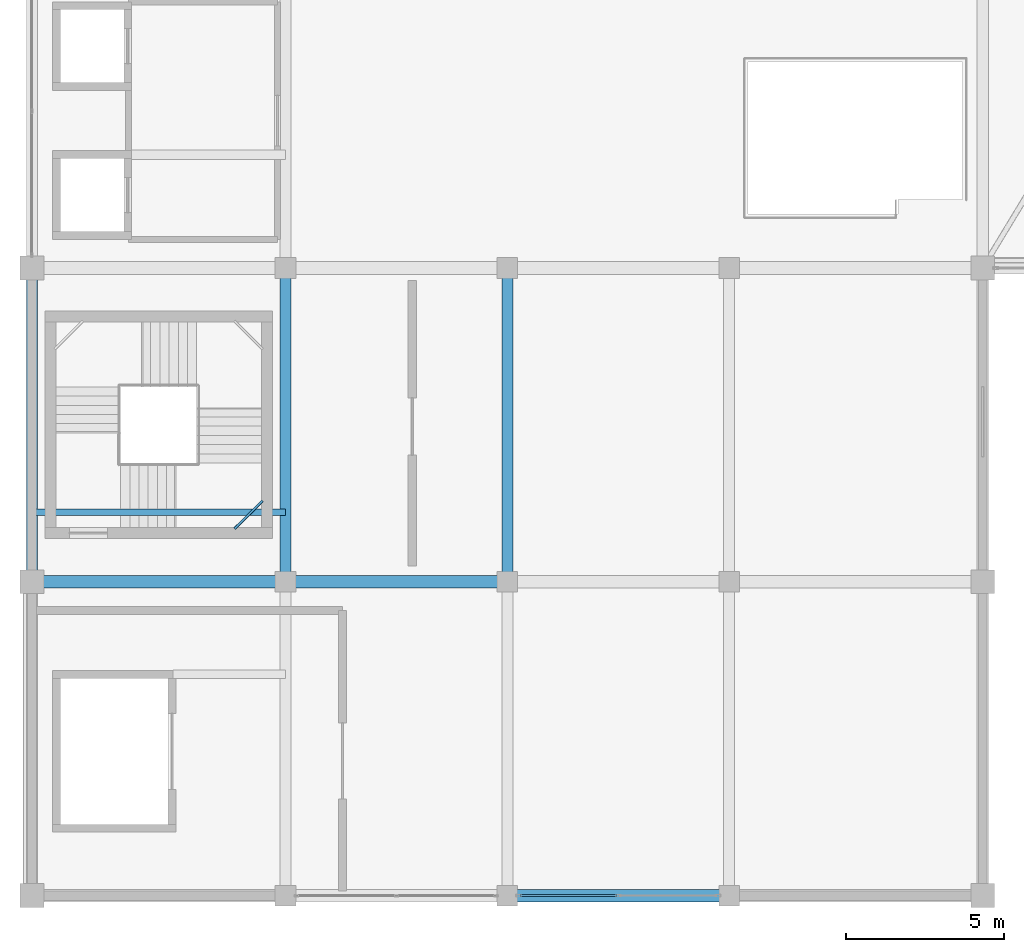
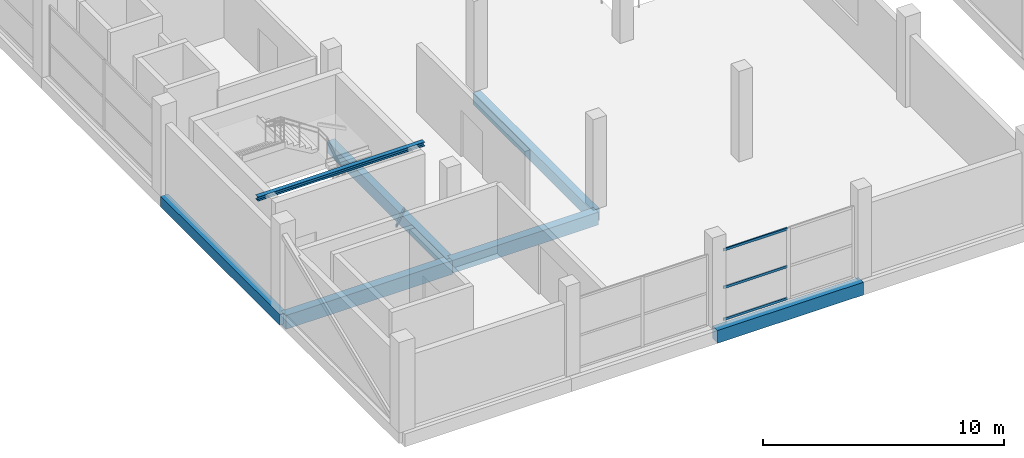
# One storey, part 3 of 69: 7 beams, 4 members, 1 element without a shape of its own.
"""IFC4 building model written with IfcOpenShell, lengths in metres."""

from ifc_helpers import new_model, si_unit, direction, frame, origin, origin_2d, place, context, subcontext, project, spatial, rectangle, hollow_rectangle, i_section, extrude, material, layer, layer_set, material_profile, profile_set, type_object, element, aggregate, save


model = new_model("IFC4")

# Units and contexts
model_context = context("Model", 3, precision=1e-05, world=origin(), true_north=direction((0.0, 1.0)))
body_context = subcontext(model_context, "Body", "Model", "MODEL_VIEW")
ifc_project = project(units=[si_unit("LENGTHUNIT", "METRE"), si_unit("AREAUNIT", "SQUARE_METRE"), si_unit("VOLUMEUNIT", "CUBIC_METRE"), si_unit("PLANEANGLEUNIT", "RADIAN"), si_unit("MASSUNIT", "GRAM", prefix="KILO")], contexts=[model_context])

# Site, building, storey
site_placement = place(None, origin())
site = spatial("IfcSite", under=ifc_project, at=site_placement, CompositionType="ELEMENT")
building_placement = place(site_placement, origin())
building = spatial("IfcBuilding", under=site, at=building_placement, Name="Sillaruma Civic Art Gallery", CompositionType="ELEMENT")
storey_placement = place(building_placement, frame((0.0, 0.0, 42.330078125)))
storey = spatial("IfcBuildingStorey", under=building, at=storey_placement, Name="L08", CompositionType="ELEMENT", Elevation=42.330078125)

# Beams
ifc_material_1 = material(Name="Concrete H35 (35 MPa)", Category="concrete")
ifc_material_profile_1 = material_profile(ifc_material_1, rectangle(XDim=0.35009765625, YDim=0.60009765625, at=origin_2d()), Name="RCB350x600")
ifc_profile_set_1 = profile_set([ifc_material_profile_1], Name="Concrete H35 (35 MPa)")
beam_type_1 = type_object("IfcBeamType", Name="BM-BEAM-RCB350x600", PredefinedType="BEAM", material=ifc_profile_set_1)
for number, where, z_axis, x_axis, name in (
    (1, (70.0, 29.699951171875, -0.580078125), (0.0, 1.0, 0.0), (-1.0, 0.0, 0.0), "Beam BM-06 (L07:G:4-5)"),
    (2, (77.0, 29.699951171875, -0.580078125), (0.0, 1.0, 0.0), (-1.0, 0.0, 0.0), "Beam BM-06 (L07:H:4-5)"),
):
    element("IfcBeam", number, at=place(storey_placement, frame(where, z_axis=z_axis, x_axis=x_axis)), inside=storey, type_object=beam_type_1, Name=name, PredefinedType="BEAM", context=body_context, shape_type="SweptSolid", body=[
        extrude(rectangle(XDim=0.35009765625, YDim=0.60009765625, at=origin_2d()), origin(), (0.0, 0.0, 1.0), 9.900146484375),
    ])
ifc_material_profile_2 = material_profile(ifc_material_1, rectangle(XDim=0.39990234375, YDim=0.64990234375, at=origin_2d()), Name="RCB400x650")
ifc_profile_set_2 = profile_set([ifc_material_profile_2], Name="Concrete H35 (35 MPa)")
beam_type_2 = type_object("IfcBeamType", Name="BM-BEAM-RCB400x650", PredefinedType="BEAM", material=ifc_profile_set_2)
beam_1_placement = place(storey_placement, frame((70.0, 29.699951171875, -0.60498046875), z_axis=(1.0, 0.0, 0.0), x_axis=(0.0, 1.0, 0.0)))
element("IfcBeam", 3, at=beam_1_placement, inside=storey, type_object=beam_type_2, Name="Beam BM-05 (L07:4:G-H)", PredefinedType="BEAM", context=body_context, shape_type="SweptSolid", body=[
    extrude(rectangle(XDim=0.39990234375, YDim=0.64990234375, at=origin_2d()), origin(), (0.0, 0.0, 1.0), 7.0),
])
ifc_material_profile_3 = material_profile(ifc_material_1, rectangle(XDim=0.39990234375, YDim=0.699951171875, at=origin_2d()), Name="RCB400x700")
ifc_profile_set_3 = profile_set([ifc_material_profile_3], Name="Concrete H35 (35 MPa)")
beam_type_3 = type_object("IfcBeamType", Name="BM-BEAM-RCB400x700", PredefinedType="BEAM", material=ifc_profile_set_3)
beam_2_placement = place(storey_placement, frame((62.0, 29.699951171875, -0.630126953125), z_axis=(1.0, 0.0, 0.0), x_axis=(0.0, 1.0, 0.0)))
element("IfcBeam", 4, at=beam_2_placement, inside=storey, type_object=beam_type_3, Name="Beam BM-04 (L07:4:F-G)", PredefinedType="BEAM", context=body_context, shape_type="SweptSolid", body=[
    extrude(rectangle(XDim=0.39990234375, YDim=0.699951171875, at=origin_2d()), origin(), (0.0, 0.0, 1.0), 8.0),
])
ifc_material_2 = material(Name="Structural Steel ASTM A500 Gr.C", Category="steel")
ifc_material_profile_4 = material_profile(ifc_material_2, hollow_rectangle(XDim=0.080078125, YDim=0.159912109375, WallThickness=0.008056640625, InnerFilletRadius=0.008056640625, OuterFilletRadius=0.01611328125, at=origin_2d()), Name="HSS160x80x8")
ifc_profile_set_4 = profile_set([ifc_material_profile_4], Name="Structural Steel ASTM A500 Gr.C")
beam_type_4 = type_object("IfcBeamType", Name="BM-LND-HSS160", PredefinedType="BEAM", material=ifc_profile_set_4)
beam_3_placement = place(storey_placement, frame((68.389892578125, 31.3701171875, 0.909912109375), z_axis=(0.707203758046, 0.707009791025, 0.0), x_axis=(-0.707009791025, 0.707203758046, 0.0)))
element("IfcBeam", 5, at=beam_3_placement, inside=storey, type_object=beam_type_4, Name="Stair Corner Landing Trimmer Beam (ST-03-L08-1)", PredefinedType="BEAM", context=body_context, shape_type="SweptSolid", body=[
    extrude(hollow_rectangle(XDim=0.080078125, YDim=0.159912109375, WallThickness=0.008056640625, InnerFilletRadius=0.008056640625, OuterFilletRadius=0.01611328125, at=origin_2d()), origin(), (0.0, 0.0, 1.0), 1.2587890625),
])
ifc_material_profile_5 = material_profile(ifc_material_1, rectangle(XDim=0.35009765625, YDim=0.550048828125, at=origin_2d()), Name="RCB350x550")
ifc_profile_set_5 = profile_set([ifc_material_profile_5], Name="Concrete H35 (35 MPa)")
beam_type_5 = type_object("IfcBeamType", Name="BM-SPANDREL-RCB350x550", PredefinedType="SPANDREL", material=ifc_profile_set_5)
beam_4_placement = place(storey_placement, frame((62.0, 29.699951171875, -0.55517578125), z_axis=(0.0, 1.0, 0.0), x_axis=(-1.0, 0.0, 0.0)))
element("IfcBeam", 6, at=beam_4_placement, inside=storey, type_object=beam_type_5, Name="Beam BS-04 (L07:F:4-5)", PredefinedType="SPANDREL", context=body_context, shape_type="SweptSolid", body=[
    extrude(rectangle(XDim=0.35009765625, YDim=0.550048828125, at=origin_2d()), origin(), (0.0, 0.0, 1.0), 9.900146484375),
])
ifc_material_profile_6 = material_profile(ifc_material_1, rectangle(XDim=0.39990234375, YDim=0.64990234375, at=origin_2d()), Name="RCB400x650")
ifc_profile_set_6 = profile_set([ifc_material_profile_6], Name="Concrete H35 (35 MPa)")
beam_type_6 = type_object("IfcBeamType", Name="BM-SPANDREL-RCB400x650", PredefinedType="SPANDREL", material=ifc_profile_set_6)
beam_5_placement = place(storey_placement, frame((77.0, 19.800048828125, -0.60498046875), z_axis=(1.0, 0.0, 0.0), x_axis=(0.0, 1.0, 0.0)))
element("IfcBeam", 7, at=beam_5_placement, inside=storey, type_object=beam_type_6, Name="Beam BS-02 (L07:3:H-J)", PredefinedType="SPANDREL", context=body_context, shape_type="SweptSolid", body=[
    extrude(rectangle(XDim=0.39990234375, YDim=0.64990234375, at=origin_2d()), origin(), (0.0, 0.0, 1.0), 7.0),
])

# Member
ifc_material_3 = material(Name="Structural Steel ASTM A992 Gr.50", Category="steel")
ifc_material_profile_7 = material_profile(ifc_material_3, i_section(OverallWidth=0.205078125, OverallDepth=0.2099609375, WebThickness=0.009033203125, FlangeThickness=0.01416015625, FilletRadius=0.010009765625, at=origin_2d()), Name="W200x59")
ifc_profile_set_7 = profile_set([ifc_material_profile_7], Name="Structural Steel ASTM A992 Gr.50")
member_type_1 = type_object("IfcMemberType", Name="MEM-STRINGER-W200", PredefinedType="STRINGER", material=ifc_profile_set_7)
member_1_placement = place(storey_placement, frame((62.0, 31.89990234375, 4.23486328125), z_axis=(1.0, 0.0, 0.0), x_axis=(0.0, 1.0, 0.0)))
element("IfcMember", 8, at=member_1_placement, inside=storey, type_object=member_type_1, Name="Feature Stair Floor Stringer (ST-G06)", PredefinedType="STRINGER", context=body_context, shape_type="SweptSolid", body=[
    extrude(i_section(OverallWidth=0.205078125, OverallDepth=0.2099609375, WebThickness=0.009033203125, FlangeThickness=0.01416015625, FilletRadius=0.010009765625, at=origin_2d()), origin(), (0.0, 0.0, 1.0), 8.0),
])

# Curtain wall, members
ifc_material_4 = material(Name="Thermally Broken Extruded Aluminium 6063-T6", Category="aluminium")
ifc_layer = layer(ifc_material_4, 0.179931640625, Name="Thermally Broken Extruded Aluminium 6063-T6")
ifc_layer_set = layer_set([ifc_layer], Name="Thermally Broken Extruded Aluminium 6063-T6")
curtain_wall_type = type_object("IfcCurtainWallType", Name="CW-UNI-57", PredefinedType="NOTDEFINED", material=ifc_layer_set)
curtain_wall_placement = place(storey_placement, origin())
curtain_wall = element("IfcCurtainWall", 9, at=curtain_wall_placement, inside=storey, type_object=curtain_wall_type, Name="Unitised Curtain Wall CW-57 (CW-L08-WBS-3)", PredefinedType="NOTDEFINED")
ifc_material_profile_8 = material_profile(ifc_material_4, hollow_rectangle(XDim=0.06494140625, YDim=0.1201171875, WallThickness=0.00341796875, at=origin_2d()), Name="CWT65x120")
ifc_profile_set_8 = profile_set([ifc_material_profile_8], Name="Thermally Broken Extruded Aluminium 6063-T6")
member_type_2 = type_object("IfcMemberType", Name="MEM-TRN-CWT65x120", PredefinedType="USERDEFINED", material=ifc_profile_set_8)
member_2_placement = place(storey_placement, frame((77.39501953125, 19.800048828125, 0.032470703125), z_axis=(1.0, 0.0, 0.0), x_axis=(0.0, 1.0, 0.0)))
member_2 = element("IfcMember", 10, at=member_2_placement, type_object=member_type_2, Name="CW-57 transom 1.1", ObjectType="TRANSOM", PredefinedType="USERDEFINED", context=body_context, shape_type="SweptSolid", body=[
    extrude(hollow_rectangle(XDim=0.06494140625, YDim=0.1201171875, WallThickness=0.00341796875, at=origin_2d()), origin(), (0.0, 0.0, 1.0), 3.070068359375),
])
member_3_placement = place(storey_placement, frame((77.39501953125, 19.800048828125, 1.6513671875), z_axis=(1.0, 0.0, 0.0), x_axis=(0.0, 1.0, 0.0)))
member_3 = element("IfcMember", 11, at=member_3_placement, type_object=member_type_2, Name="CW-57 transom 1.2", ObjectType="TRANSOM", PredefinedType="USERDEFINED", context=body_context, shape_type="SweptSolid", body=[
    extrude(hollow_rectangle(XDim=0.06494140625, YDim=0.1201171875, WallThickness=0.00341796875, at=origin_2d()), origin(), (0.0, 0.0, 1.0), 3.070068359375),
])
member_4_placement = place(storey_placement, frame((77.39501953125, 19.800048828125, 3.557373046875), z_axis=(1.0, 0.0, 0.0), x_axis=(0.0, 1.0, 0.0)))
member_4 = element("IfcMember", 12, at=member_4_placement, type_object=member_type_2, Name="CW-57 transom 1.3", ObjectType="TRANSOM", PredefinedType="USERDEFINED", context=body_context, shape_type="SweptSolid", body=[
    extrude(hollow_rectangle(XDim=0.06494140625, YDim=0.1201171875, WallThickness=0.00341796875, at=origin_2d()), origin(), (0.0, 0.0, 1.0), 3.070068359375),
])
aggregate(curtain_wall, [member_2, member_3, member_4])

save(model, "model.ifc")
